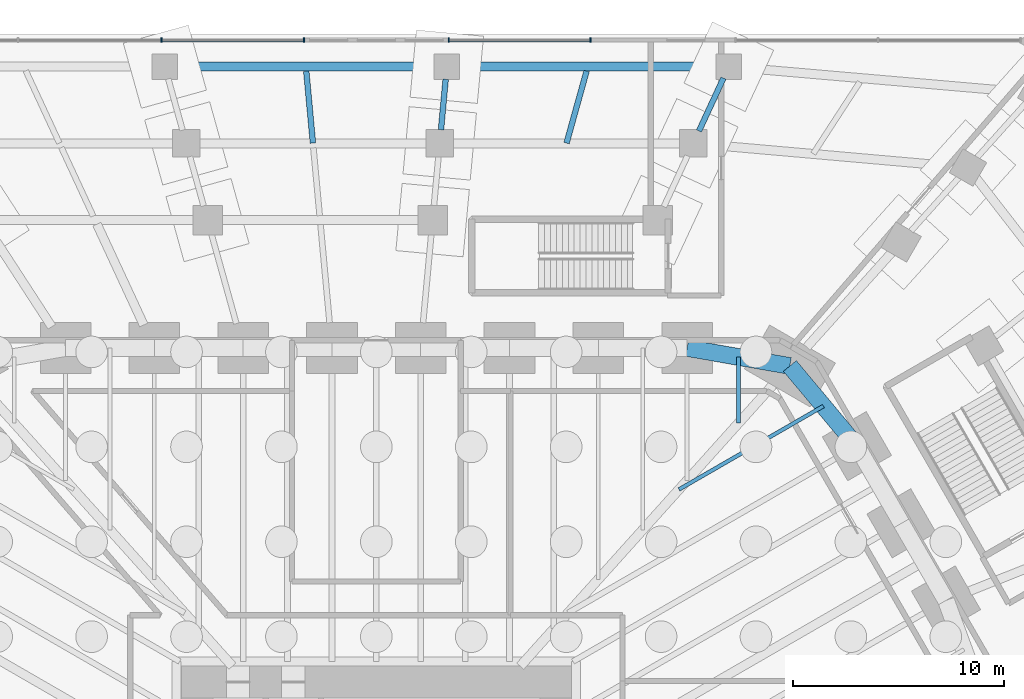
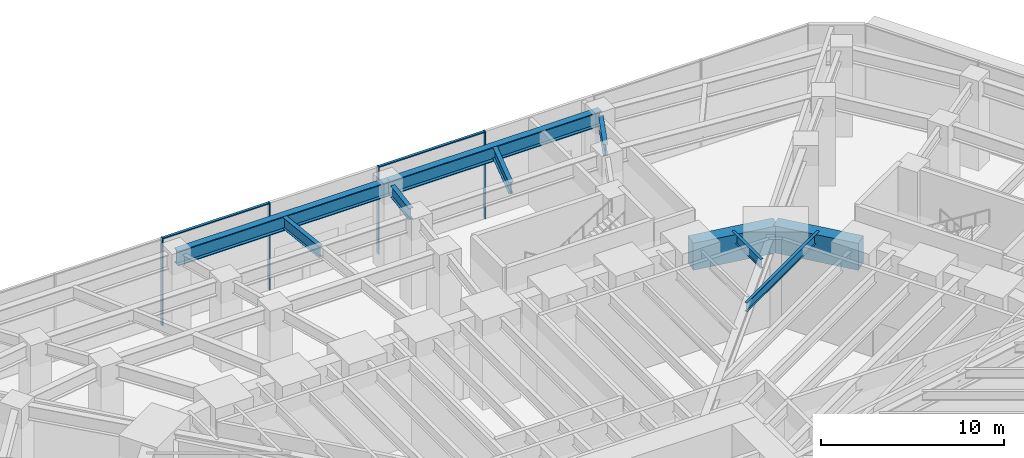
# One storey, part 15 of 34: 10 beams, 6 members, 2 elements without a shape of their own.
"""IFC4 building model written with IfcOpenShell, lengths in metres."""

from ifc_helpers import new_model, si_unit, direction, frame, origin, origin_2d, place, context, subcontext, project, spatial, rectangle, i_section, extrude, material, material_profile, profile_set, type_object, element, aggregate, save


model = new_model("IFC4")

# Units and contexts
model_context = context("Model", 3, precision=1e-05, world=origin(), true_north=direction((0.0, 1.0)))
body_context = subcontext(model_context, "Body", "Model", "MODEL_VIEW")
ifc_project = project(units=[si_unit("LENGTHUNIT", "METRE"), si_unit("AREAUNIT", "SQUARE_METRE"), si_unit("VOLUMEUNIT", "CUBIC_METRE"), si_unit("PLANEANGLEUNIT", "RADIAN"), si_unit("MASSUNIT", "GRAM", prefix="KILO")], contexts=[model_context])

# Site, building, storey
site_placement = place(None, origin())
site = spatial("IfcSite", under=ifc_project, at=site_placement, CompositionType="ELEMENT")
building_placement = place(site_placement, origin())
building = spatial("IfcBuilding", under=site, at=building_placement, Name="Sandreach Pilgrim Tower", CompositionType="ELEMENT")
storey_placement = place(building_placement, origin())
storey = spatial("IfcBuildingStorey", under=building, at=storey_placement, Name="L00", CompositionType="ELEMENT", Elevation=0.0)

# Curtain wall, members
ifc_material_1 = material(Name="Aluminium framed curtain wall", Category="aluminium")
curtain_wall_type = type_object("IfcCurtainWallType", Name="Podium storefront curtain wall", PredefinedType="NOTDEFINED", material=ifc_material_1)
curtain_wall_1_placement = place(storey_placement, origin())
curtain_wall_1 = element("IfcCurtainWall", 1, at=curtain_wall_1_placement, inside=storey, type_object=curtain_wall_type, Name="CW-P L00 NA", PredefinedType="NOTDEFINED")
ifc_material_2 = material(Name="Aluminium extrusion", Category="aluminium")
ifc_material_profile_1 = material_profile(ifc_material_2, rectangle(XDim=0.070068359375, YDim=0.199951171875, at=origin_2d()), Name="CW-PM 70X200")
ifc_profile_set_1 = profile_set([ifc_material_profile_1], Name="Aluminium extrusion")
member_type_1 = type_object("IfcMemberType", Name="CW-P mullion", PredefinedType="MULLION", material=ifc_profile_set_1)
member_1_placement = place(storey_placement, frame((-10.195556640625, 37.285400390625, 0.0), z_axis=(0.0, 0.0, 1.0), x_axis=(1.0, 0.0, 0.0)))
member_1 = element("IfcMember", 2, at=member_1_placement, type_object=member_type_1, Name="CW-P mullion 4", PredefinedType="MULLION", context=body_context, shape_type="SweptSolid", body=[
    extrude(rectangle(XDim=0.070068359375, YDim=0.199951171875, at=origin_2d()), origin(), (0.0, 0.0, 1.0), 5.840087890625),
])
member_2_placement = place(storey_placement, frame((-3.43359375, 37.285400390625, 0.0), z_axis=(0.0, 0.0, 1.0), x_axis=(1.0, 0.0, 0.0)))
member_2 = element("IfcMember", 3, at=member_2_placement, type_object=member_type_1, Name="CW-P mullion 5", PredefinedType="MULLION", context=body_context, shape_type="SweptSolid", body=[
    extrude(rectangle(XDim=0.070068359375, YDim=0.199951171875, at=origin_2d()), origin(), (0.0, 0.0, 1.0), 5.840087890625),
])

curtain_wall_2_placement = place(storey_placement, origin())
curtain_wall_2 = element("IfcCurtainWall", 4, at=curtain_wall_2_placement, inside=storey, type_object=curtain_wall_type, Name="CW-P L00 NB", PredefinedType="NOTDEFINED")
member_3_placement = place(storey_placement, frame((3.43359375, 37.285400390625, 0.0), z_axis=(0.0, 0.0, 1.0), x_axis=(1.0, 0.0, 0.0)))
member_3 = element("IfcMember", 5, at=member_3_placement, type_object=member_type_1, Name="CW-P mullion 1", PredefinedType="MULLION", context=body_context, shape_type="SweptSolid", body=[
    extrude(rectangle(XDim=0.070068359375, YDim=0.199951171875, at=origin_2d()), origin(), (0.0, 0.0, 1.0), 5.840087890625),
])
member_4_placement = place(storey_placement, frame((10.16064453125, 37.285400390625, 0.0), z_axis=(0.0, 0.0, 1.0), x_axis=(1.0, 0.0, 0.0)))
member_4 = element("IfcMember", 6, at=member_4_placement, type_object=member_type_1, Name="CW-P mullion 2", PredefinedType="MULLION", context=body_context, shape_type="SweptSolid", body=[
    extrude(rectangle(XDim=0.070068359375, YDim=0.199951171875, at=origin_2d()), origin(), (0.0, 0.0, 1.0), 5.840087890625),
])

# Member
ifc_material_3 = material(Name="Aluminium extrusion", Category="aluminium")
ifc_material_profile_2 = material_profile(ifc_material_3, rectangle(XDim=0.159912109375, YDim=0.070068359375, at=origin_2d()), Name="CW-PT 160X70")
ifc_profile_set_2 = profile_set([ifc_material_profile_2], Name="Aluminium extrusion")
member_type_2 = type_object("IfcMemberType", Name="CW-P transom", PredefinedType="USERDEFINED", material=ifc_profile_set_2)
member_5_placement = place(storey_placement, frame((-10.16064453125, 37.285400390625, 5.804931640625), z_axis=(1.0, 0.0, 0.0), x_axis=(0.0, 1.0, 0.0)))
member_5 = element("IfcMember", 7, at=member_5_placement, type_object=member_type_2, Name="CW-P head transom 4", ObjectType="TRANSOM", PredefinedType="USERDEFINED", context=body_context, shape_type="SweptSolid", body=[
    extrude(rectangle(XDim=0.159912109375, YDim=0.070068359375, at=origin_2d()), origin(), (0.0, 0.0, 1.0), 6.692138671875),
])

aggregate(curtain_wall_1, [member_1, member_2, member_5])

member_6_placement = place(storey_placement, frame((3.468505859375, 37.285400390625, 5.804931640625), z_axis=(1.0, 0.0, 0.0), x_axis=(0.0, 1.0, 0.0)))
member_6 = element("IfcMember", 8, at=member_6_placement, type_object=member_type_2, Name="CW-P head transom 1", ObjectType="TRANSOM", PredefinedType="USERDEFINED", context=body_context, shape_type="SweptSolid", body=[
    extrude(rectangle(XDim=0.159912109375, YDim=0.070068359375, at=origin_2d()), origin(), (0.0, 0.0, 1.0), 6.6572265625),
])

aggregate(curtain_wall_2, [member_3, member_4, member_6])

# Beams
ifc_material_4 = material(Name="Steel ASTM A992 Grade 50", Category="steel")
ifc_material_profile_3 = material_profile(ifc_material_4, i_section(OverallWidth=0.1787109375, OverallDepth=0.60205078125, WebThickness=0.010986328125, FlangeThickness=0.014892578125, at=origin_2d()), Name="W24X62")
ifc_profile_set_3 = profile_set([ifc_material_profile_3], Name="Steel ASTM A992 Grade 50")
beam_type_1 = type_object("IfcBeamType", Name="Floor beam W24X62", PredefinedType="BEAM", material=ifc_profile_set_3)
beam_1_placement = place(storey_placement, frame((17.17041015625, 22.26171875, 5.5390625), z_axis=(0.0, -1.0, 0.0), x_axis=(1.0, 0.0, 0.0)))
element("IfcBeam", 9, at=beam_1_placement, inside=storey, type_object=beam_type_1, Name="BM L00 FM08", PredefinedType="BEAM", context=body_context, shape_type="SweptSolid", body=[
    extrude(i_section(OverallWidth=0.1787109375, OverallDepth=0.60205078125, WebThickness=0.010986328125, FlangeThickness=0.014892578125, at=origin_2d()), origin(), (0.0, 0.0, 1.0), 3.1396484375),
])
beam_2_placement = place(storey_placement, frame((21.197021484375, 19.933349609375, 5.5390625), z_axis=(-0.866028778003, -0.499994155636, 0.0), x_axis=(0.499994155636, -0.866028778003, 0.0)))
element("IfcBeam", 10, at=beam_2_placement, inside=storey, type_object=beam_type_1, Name="BM L00 FM09", PredefinedType="BEAM", context=body_context, shape_type="SweptSolid", body=[
    extrude(i_section(OverallWidth=0.1787109375, OverallDepth=0.60205078125, WebThickness=0.010986328125, FlangeThickness=0.014892578125, at=origin_2d()), origin(), (0.0, 0.0, 1.0), 7.90771484375),
])
ifc_material_5 = material(Name="Steel ASTM A992 Grade 50", Category="steel")
ifc_material_profile_4 = material_profile(ifc_material_5, i_section(OverallWidth=0.2666015625, OverallDepth=0.7568359375, WebThickness=0.013916015625, FlangeThickness=0.019287109375, at=origin_2d()), Name="W30X108")
ifc_profile_set_4 = profile_set([ifc_material_profile_4], Name="Steel ASTM A992 Grade 50")
beam_type_2 = type_object("IfcBeamType", Name="Podium beam W30X108", PredefinedType="BEAM", material=ifc_profile_set_4)
beam_3_placement = place(storey_placement, frame((-3.00634765625, 32.403564453125, 5.37158203125), z_axis=(-0.092335673305, 0.995727936454, 0.0), x_axis=(-0.995727936454, -0.092335673305, 0.0)))
element("IfcBeam", 11, at=beam_3_placement, inside=storey, type_object=beam_type_2, Name="BM L00 PR155-04", PredefinedType="BEAM", context=body_context, shape_type="SweptSolid", body=[
    extrude(i_section(OverallWidth=0.2666015625, OverallDepth=0.7568359375, WebThickness=0.013916015625, FlangeThickness=0.019287109375, at=origin_2d()), origin(), (0.0, 0.0, 1.0), 3.424072265625),
])
beam_4_placement = place(storey_placement, frame((3.06494140625, 33.035400390625, 5.37158203125), z_axis=(0.092358648706, 0.995725805636, 0.0), x_axis=(-0.995725805636, 0.092358648706, 0.0)))
element("IfcBeam", 12, at=beam_4_placement, inside=storey, type_object=beam_type_2, Name="BM L00 PR155-05", PredefinedType="BEAM", context=body_context, shape_type="SweptSolid", body=[
    extrude(i_section(OverallWidth=0.2666015625, OverallDepth=0.7568359375, WebThickness=0.013916015625, FlangeThickness=0.019287109375, at=origin_2d()), origin(), (0.0, 0.0, 1.0), 2.40283203125),
])
beam_5_placement = place(storey_placement, frame((9.0185546875, 32.403076171875, 5.37158203125), z_axis=(0.268169234554, 0.963371818998, 0.0), x_axis=(-0.963371818998, 0.268169234554, 0.0)))
element("IfcBeam", 13, at=beam_5_placement, inside=storey, type_object=beam_type_2, Name="BM L00 PR155-06", PredefinedType="BEAM", context=body_context, shape_type="SweptSolid", body=[
    extrude(i_section(OverallWidth=0.2666015625, OverallDepth=0.7568359375, WebThickness=0.013916015625, FlangeThickness=0.019287109375, at=origin_2d()), origin(), (0.0, 0.0, 1.0), 3.546875),
])
beam_6_placement = place(storey_placement, frame((15.297607421875, 32.977783203125, 5.37158203125), z_axis=(0.420835768701, 0.907136845124, 0.0), x_axis=(-0.907136845124, 0.420835768701, 0.0)))
element("IfcBeam", 14, at=beam_6_placement, inside=storey, type_object=beam_type_2, Name="BM L00 PR155-07", PredefinedType="BEAM", context=body_context, shape_type="SweptSolid", body=[
    extrude(i_section(OverallWidth=0.2666015625, OverallDepth=0.7568359375, WebThickness=0.013916015625, FlangeThickness=0.019287109375, at=origin_2d()), origin(), (0.0, 0.0, 1.0), 2.759765625),
])
ifc_material_6 = material(Name="Steel ASTM A992 Grade 50", Category="steel")
ifc_material_profile_5 = material_profile(ifc_material_6, i_section(OverallWidth=0.4267578125, OverallDepth=0.975341796875, WebThickness=0.031005859375, FlangeThickness=0.055908203125, at=origin_2d()), Name="W36X395")
ifc_profile_set_5 = profile_set([ifc_material_profile_5], Name="Steel ASTM A992 Grade 50")
beam_type_3 = type_object("IfcBeamType", Name="Podium edge beam W36X395", PredefinedType="BEAM", material=ifc_profile_set_5)
for number, where, z_axis, x_axis, name in (
    (15, (-10.02685546875, 36.025390625, 5.26220703125), (1.0, 0.0, 0.0), (0.0, 1.0, 0.0), "BM L00 PE155-03"),
    (16, (3.34228515625, 36.025390625, 5.26220703125), (1.0, 0.0, 0.0), (0.0, 1.0, 0.0), "BM L00 PE155-05"),
):
    element("IfcBeam", number, at=place(storey_placement, frame(where, z_axis=z_axis, x_axis=x_axis)), inside=storey, type_object=beam_type_3, Name=name, PredefinedType="BEAM", context=body_context, shape_type="SweptSolid", body=[
        extrude(i_section(OverallWidth=0.4267578125, OverallDepth=0.975341796875, WebThickness=0.031005859375, FlangeThickness=0.055908203125, at=origin_2d()), origin(), (0.0, 0.0, 1.0), 13.369140625),
    ])
ifc_material_7 = material(Name="Concrete 10000 psi", Category="concrete")
ifc_material_profile_6 = material_profile(ifc_material_7, rectangle(XDim=0.800048828125, YDim=1.800048828125, at=origin_2d()), Name="RC800X1800")
ifc_profile_set_6 = profile_set([ifc_material_profile_6], Name="Concrete 10000 psi")
beam_type_4 = type_object("IfcBeamType", Name="Spandrel beam RC800X1800", PredefinedType="SPANDREL", material=ifc_profile_set_6)
beam_7_placement = place(storey_placement, frame((14.734619140625, 22.688720703125, 4.93994140625), z_axis=(0.984981186582, -0.172661698355, 0.0), x_axis=(0.172661698355, 0.984981186582, 0.0)))
element("IfcBeam", 17, at=beam_7_placement, inside=storey, type_object=beam_type_4, Name="BM L00 SP08", PredefinedType="SPANDREL", context=body_context, shape_type="SweptSolid", body=[
    extrude(rectangle(XDim=0.800048828125, YDim=1.800048828125, at=origin_2d()), origin(), (0.0, 0.0, 1.0), 4.946044921875),
])
beam_8_placement = place(storey_placement, frame((19.6064453125, 21.834716796875, 4.93994140625), z_axis=(0.641665295114, -0.766984777584, 0.0), x_axis=(0.766984777584, 0.641665295114, 0.0)))
element("IfcBeam", 18, at=beam_8_placement, inside=storey, type_object=beam_type_4, Name="BM L00 SP09", PredefinedType="SPANDREL", context=body_context, shape_type="SweptSolid", body=[
    extrude(rectangle(XDim=0.800048828125, YDim=1.800048828125, at=origin_2d()), origin(), (0.0, 0.0, 1.0), 4.9580078125),
])

save(model, "model.ifc")
